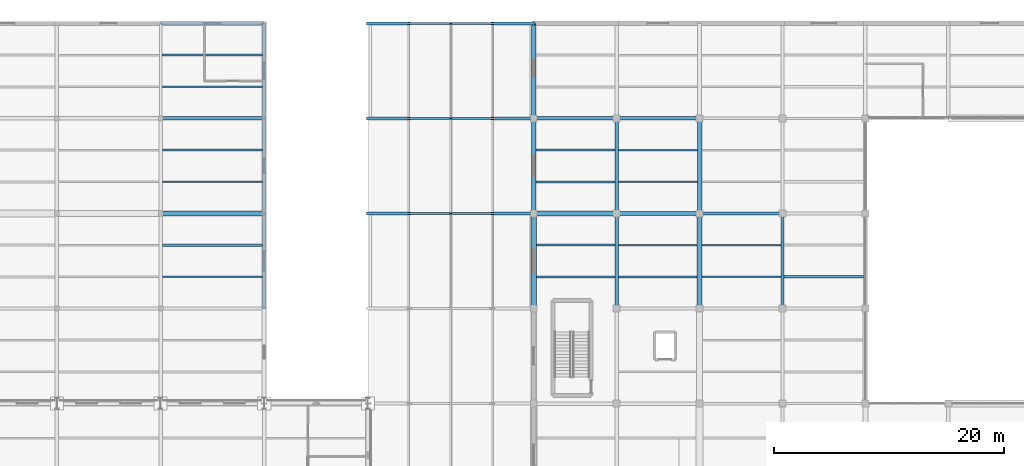
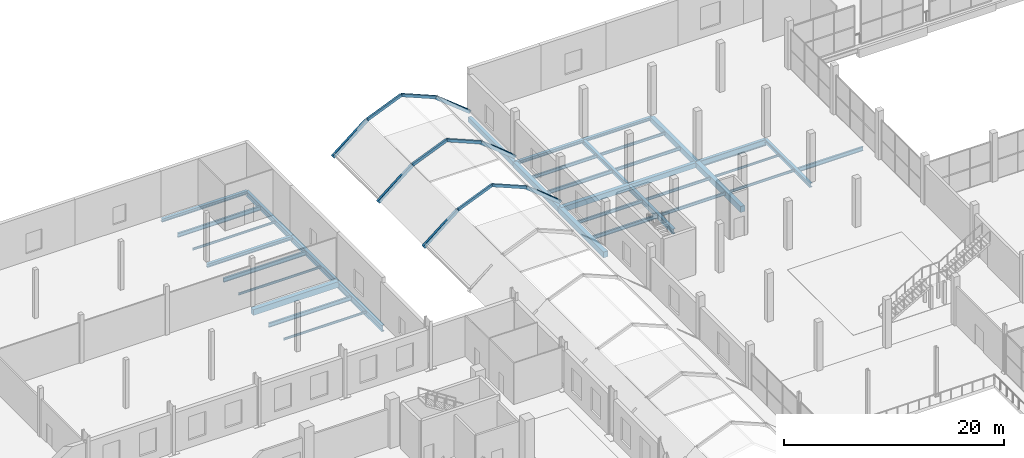
# One storey, part 53 of 141: 36 beams, 12 members.
"""IFC4 building model written with IfcOpenShell, lengths in metres."""

from ifc_helpers import new_model, si_unit, direction, frame, origin, origin_2d, place, context, subcontext, project, spatial, rectangle, hollow_rectangle, i_section, extrude, material, material_profile, profile_set, type_object, element, save


model = new_model("IFC4")

# Units and contexts
model_context = context("Model", 3, precision=1e-05, world=origin(), true_north=direction((0.0, 1.0)))
body_context = subcontext(model_context, "Body", "Model", "MODEL_VIEW")
ifc_project = project(units=[si_unit("LENGTHUNIT", "METRE"), si_unit("AREAUNIT", "SQUARE_METRE"), si_unit("VOLUMEUNIT", "CUBIC_METRE"), si_unit("PLANEANGLEUNIT", "RADIAN"), si_unit("MASSUNIT", "GRAM", prefix="KILO")], contexts=[model_context])

# Site, building, storey
site_placement = place(None, origin())
site = spatial("IfcSite", under=ifc_project, at=site_placement, CompositionType="ELEMENT")
building_placement = place(site_placement, origin())
building = spatial("IfcBuilding", under=site, at=building_placement, Name="Sundgate Opera House", CompositionType="ELEMENT")
storey_placement = place(building_placement, frame((0.0, 0.0, 11.39990234375)))
storey = spatial("IfcBuildingStorey", under=building, at=storey_placement, Name="L02", CompositionType="ELEMENT", Elevation=11.39990234375)

# Beams
ifc_material_1 = material(Name="Steel S355J2", Category="steel")
ifc_material_profile_1 = material_profile(ifc_material_1, i_section(OverallWidth=0.300048828125, OverallDepth=0.330078125, WebThickness=0.009521484375, FlangeThickness=0.0166015625, at=origin_2d()), Name="HEA 340")
ifc_profile_set_1 = profile_set([ifc_material_profile_1], Name="Steel S355J2")
beam_type_1 = type_object("IfcBeamType", Name="BM-GR-HEA340", PredefinedType="BEAM", material=ifc_profile_set_1)
beam_1_placement = place(storey_placement, frame((102.60009765625, 111.75, -0.514892578125), z_axis=(1.0, 0.0, 0.0), x_axis=(0.0, 1.0, 0.0)))
element("IfcBeam", 1, at=beam_1_placement, inside=storey, type_object=beam_type_1, Name="L02 Primary E-W Girder B2104", PredefinedType="BEAM", context=body_context, shape_type="SweptSolid", body=[
    extrude(i_section(OverallWidth=0.300048828125, OverallDepth=0.330078125, WebThickness=0.009521484375, FlangeThickness=0.0166015625, at=origin_2d()), origin(), (0.0, 0.0, 1.0), 7.199951171875),
])
ifc_material_2 = material(Name="Steel S355J2", Category="steel")
ifc_material_profile_2 = material_profile(ifc_material_2, i_section(OverallWidth=0.300048828125, OverallDepth=0.35009765625, WebThickness=0.010009765625, FlangeThickness=0.017578125, at=origin_2d()), Name="HEA 360")
ifc_profile_set_2 = profile_set([ifc_material_profile_2], Name="Steel S355J2")
beam_type_2 = type_object("IfcBeamType", Name="BM-GR-HEA360", PredefinedType="BEAM", material=ifc_profile_set_2)
beam_2_placement = place(storey_placement, frame((95.39990234375, 111.75, -0.52490234375), z_axis=(1.0, 0.0, 0.0), x_axis=(0.0, 1.0, 0.0)))
element("IfcBeam", 2, at=beam_2_placement, inside=storey, type_object=beam_type_2, Name="L02 Primary E-W Girder B2103", PredefinedType="BEAM", context=body_context, shape_type="SweptSolid", body=[
    extrude(i_section(OverallWidth=0.300048828125, OverallDepth=0.35009765625, WebThickness=0.010009765625, FlangeThickness=0.017578125, at=origin_2d()), origin(), (0.0, 0.0, 1.0), 7.2001953125),
])
ifc_material_3 = material(Name="Steel S355J2", Category="steel")
ifc_material_profile_3 = material_profile(ifc_material_3, i_section(OverallWidth=0.300048828125, OverallDepth=0.389892578125, WebThickness=0.010986328125, FlangeThickness=0.01904296875, at=origin_2d()), Name="HEA 400")
ifc_profile_set_3 = profile_set([ifc_material_profile_3], Name="Steel S355J2")
beam_type_3 = type_object("IfcBeamType", Name="BM-GR-HEA400", PredefinedType="BEAM", material=ifc_profile_set_3)
beam_3_placement = place(storey_placement, frame((63.0, 111.75, -0.544921875), z_axis=(1.0, 0.0, 0.0), x_axis=(0.0, 1.0, 0.0)))
element("IfcBeam", 3, at=beam_3_placement, inside=storey, type_object=beam_type_3, Name="L02 Primary E-W Girder B2102", PredefinedType="BEAM", context=body_context, shape_type="SweptSolid", body=[
    extrude(i_section(OverallWidth=0.300048828125, OverallDepth=0.389892578125, WebThickness=0.010986328125, FlangeThickness=0.01904296875, at=origin_2d()), origin(), (0.0, 0.0, 1.0), 9.0),
])
ifc_material_4 = material(Name="Steel S355J2", Category="steel")
ifc_material_profile_4 = material_profile(ifc_material_4, i_section(OverallWidth=0.300048828125, OverallDepth=0.43994140625, WebThickness=0.011474609375, FlangeThickness=0.02099609375, at=origin_2d()), Name="HEA 450")
ifc_profile_set_4 = profile_set([ifc_material_profile_4], Name="Steel S355J2")
beam_type_4 = type_object("IfcBeamType", Name="BM-GR-HEA450", PredefinedType="BEAM", material=ifc_profile_set_4)
beam_4_placement = place(storey_placement, frame((117.0, 95.25, -0.56982421875), z_axis=(0.0, 1.0, 0.0), x_axis=(-1.0, 0.0, 0.0)))
element("IfcBeam", 4, at=beam_4_placement, inside=storey, type_object=beam_type_4, Name="L02 Primary N-S Girder B1889", PredefinedType="BEAM", context=body_context, shape_type="SweptSolid", body=[
    extrude(i_section(OverallWidth=0.300048828125, OverallDepth=0.43994140625, WebThickness=0.011474609375, FlangeThickness=0.02099609375, at=origin_2d()), origin(), (0.0, 0.0, 1.0), 8.25),
])
ifc_material_5 = material(Name="Steel S355J2", Category="steel")
ifc_material_profile_5 = material_profile(ifc_material_5, i_section(OverallWidth=0.300048828125, OverallDepth=0.489990234375, WebThickness=0.011962890625, FlangeThickness=0.02294921875, at=origin_2d()), Name="HEA 500")
ifc_profile_set_5 = profile_set([ifc_material_profile_5], Name="Steel S355J2")
beam_type_5 = type_object("IfcBeamType", Name="BM-GR-HEA500", PredefinedType="BEAM", material=ifc_profile_set_5)
beam_5_placement = place(storey_placement, frame((102.60009765625, 103.5, -0.594970703125), z_axis=(0.0, 1.0, 0.0), x_axis=(-1.0, 0.0, 0.0)))
element("IfcBeam", 5, at=beam_5_placement, inside=storey, type_object=beam_type_5, Name="L02 Primary N-S Girder B1866", PredefinedType="BEAM", context=body_context, shape_type="SweptSolid", body=[
    extrude(i_section(OverallWidth=0.300048828125, OverallDepth=0.489990234375, WebThickness=0.011962890625, FlangeThickness=0.02294921875, at=origin_2d()), origin(), (0.0, 0.0, 1.0), 8.25),
])
ifc_material_6 = material(Name="Steel S355J2", Category="steel")
ifc_material_profile_6 = material_profile(ifc_material_6, i_section(OverallWidth=0.300048828125, OverallDepth=0.590087890625, WebThickness=0.012939453125, FlangeThickness=0.02490234375, at=origin_2d()), Name="HEA 600")
ifc_profile_set_6 = profile_set([ifc_material_profile_6], Name="Steel S355J2")
beam_type_6 = type_object("IfcBeamType", Name="BM-GR-HEA600", PredefinedType="BEAM", material=ifc_profile_set_6)
beam_6_placement = place(storey_placement, frame((102.60009765625, 95.25, -0.64501953125), z_axis=(0.0, 1.0, 0.0), x_axis=(-1.0, 0.0, 0.0)))
element("IfcBeam", 6, at=beam_6_placement, inside=storey, type_object=beam_type_6, Name="L02 Primary N-S Girder B1865", PredefinedType="BEAM", context=body_context, shape_type="SweptSolid", body=[
    extrude(i_section(OverallWidth=0.300048828125, OverallDepth=0.590087890625, WebThickness=0.012939453125, FlangeThickness=0.02490234375, at=origin_2d()), origin(), (0.0, 0.0, 1.0), 8.25),
])
ifc_material_7 = material(Name="Steel S355J2", Category="steel")
ifc_material_profile_7 = material_profile(ifc_material_7, i_section(OverallWidth=0.300048828125, OverallDepth=0.360107421875, WebThickness=0.012451171875, FlangeThickness=0.0224609375, at=origin_2d()), Name="HEB 360")
ifc_profile_set_7 = profile_set([ifc_material_profile_7], Name="Steel S355J2")
beam_type_7 = type_object("IfcBeamType", Name="BM-GR-HEB360", PredefinedType="BEAM", material=ifc_profile_set_7)
beam_7_placement = place(storey_placement, frame((63.0, 120.0, -0.52978515625), z_axis=(1.0, 0.0, 0.0), x_axis=(0.0, 1.0, 0.0)))
element("IfcBeam", 7, at=beam_7_placement, inside=storey, type_object=beam_type_7, Name="L02 Primary E-W Girder B2120", PredefinedType="BEAM", context=body_context, shape_type="SweptSolid", body=[
    extrude(i_section(OverallWidth=0.300048828125, OverallDepth=0.360107421875, WebThickness=0.012451171875, FlangeThickness=0.0224609375, at=origin_2d()), origin(), (0.0, 0.0, 1.0), 9.0),
])
ifc_material_8 = material(Name="Steel S355J2", Category="steel")
ifc_material_profile_8 = material_profile(ifc_material_8, i_section(OverallWidth=0.300048828125, OverallDepth=0.60009765625, WebThickness=0.015380859375, FlangeThickness=0.030029296875, at=origin_2d()), Name="HEB 600")
ifc_profile_set_8 = profile_set([ifc_material_profile_8], Name="Steel S355J2")
beam_type_8 = type_object("IfcBeamType", Name="BM-GR-HEB600", PredefinedType="BEAM", material=ifc_profile_set_8)
beam_8_placement = place(storey_placement, frame((72.0, 111.75, -0.64990234375), z_axis=(0.0, 1.0, 0.0), x_axis=(-1.0, 0.0, 0.0)))
element("IfcBeam", 8, at=beam_8_placement, inside=storey, type_object=beam_type_8, Name="L02 Primary N-S Girder B1843", PredefinedType="BEAM", context=body_context, shape_type="SweptSolid", body=[
    extrude(i_section(OverallWidth=0.300048828125, OverallDepth=0.60009765625, WebThickness=0.015380859375, FlangeThickness=0.030029296875, at=origin_2d()), origin(), (0.0, 0.0, 1.0), 8.25),
])
ifc_material_9 = material(Name="Steel S355J2", Category="steel")
ifc_material_profile_9 = material_profile(ifc_material_9, i_section(OverallWidth=0.300048828125, OverallDepth=0.64990234375, WebThickness=0.01611328125, FlangeThickness=0.031005859375, at=origin_2d()), Name="HEB 650")
ifc_profile_set_9 = profile_set([ifc_material_profile_9], Name="Steel S355J2")
beam_type_9 = type_object("IfcBeamType", Name="BM-GR-HEB650", PredefinedType="BEAM", material=ifc_profile_set_9)
beam_9_placement = place(storey_placement, frame((72.0, 103.5, -0.6748046875), z_axis=(0.0, 1.0, 0.0), x_axis=(-1.0, 0.0, 0.0)))
element("IfcBeam", 9, at=beam_9_placement, inside=storey, type_object=beam_type_9, Name="L02 Primary N-S Girder B1842", PredefinedType="BEAM", context=body_context, shape_type="SweptSolid", body=[
    extrude(i_section(OverallWidth=0.300048828125, OverallDepth=0.64990234375, WebThickness=0.01611328125, FlangeThickness=0.031005859375, at=origin_2d()), origin(), (0.0, 0.0, 1.0), 8.25),
])
ifc_material_10 = material(Name="Steel S355J2", Category="steel")
ifc_material_profile_10 = material_profile(ifc_material_10, i_section(OverallWidth=0.300048828125, OverallDepth=0.699951171875, WebThickness=0.01708984375, FlangeThickness=0.031982421875, at=origin_2d()), Name="HEB 700")
ifc_profile_set_10 = profile_set([ifc_material_profile_10], Name="Steel S355J2")
beam_type_10 = type_object("IfcBeamType", Name="BM-GR-HEB700", PredefinedType="BEAM", material=ifc_profile_set_10)
beam_10_placement = place(storey_placement, frame((72.0, 95.25, -0.699951171875), z_axis=(0.0, 1.0, 0.0), x_axis=(-1.0, 0.0, 0.0)))
element("IfcBeam", 10, at=beam_10_placement, inside=storey, type_object=beam_type_10, Name="L02 Primary N-S Girder B1841", PredefinedType="BEAM", context=body_context, shape_type="SweptSolid", body=[
    extrude(i_section(OverallWidth=0.300048828125, OverallDepth=0.699951171875, WebThickness=0.01708984375, FlangeThickness=0.031982421875, at=origin_2d()), origin(), (0.0, 0.0, 1.0), 8.25),
])
beam_11_placement = place(storey_placement, frame((109.800048828125, 103.5, -0.699951171875), z_axis=(1.0, 0.0, 0.0), x_axis=(0.0, 1.0, 0.0)))
element("IfcBeam", 11, at=beam_11_placement, inside=storey, type_object=beam_type_10, Name="L02 Primary E-W Girder B2091", PredefinedType="BEAM", context=body_context, shape_type="SweptSolid", body=[
    extrude(i_section(OverallWidth=0.300048828125, OverallDepth=0.699951171875, WebThickness=0.01708984375, FlangeThickness=0.031982421875, at=origin_2d()), origin(), (0.0, 0.0, 1.0), 7.199951171875),
])
ifc_material_11 = material(Name="Steel S355J2", Category="steel")
ifc_material_profile_11 = material_profile(ifc_material_11, i_section(OverallWidth=0.1201171875, OverallDepth=0.239990234375, WebThickness=0.006103515625, FlangeThickness=0.009765625, at=origin_2d()), Name="IPE 240")
ifc_profile_set_11 = profile_set([ifc_material_profile_11], Name="Steel S355J2")
beam_type_11 = type_object("IfcBeamType", Name="BM-JS-IPE240", PredefinedType="JOIST", material=ifc_profile_set_11)
beam_12_placement = place(storey_placement, frame((63.14990234375, 98.0, -0.469970703125), z_axis=(1.0, 0.0, 0.0), x_axis=(0.0, 1.0, 0.0)))
element("IfcBeam", 12, at=beam_12_placement, inside=storey, type_object=beam_type_11, Name="L02 Secondary Floor Joist B2373", PredefinedType="JOIST", context=body_context, shape_type="SweptSolid", body=[
    extrude(i_section(OverallWidth=0.1201171875, OverallDepth=0.239990234375, WebThickness=0.006103515625, FlangeThickness=0.009765625, at=origin_2d()), origin(), (0.0, 0.0, 1.0), 8.7001953125),
])
beam_13_placement = place(storey_placement, frame((110.02490234375, 100.75, -0.469970703125), z_axis=(1.0, 0.0, 0.0), x_axis=(0.0, 1.0, 0.0)))
element("IfcBeam", 13, at=beam_13_placement, inside=storey, type_object=beam_type_11, Name="L02 Secondary Floor Joist B2380", PredefinedType="JOIST", context=body_context, shape_type="SweptSolid", body=[
    extrude(i_section(OverallWidth=0.1201171875, OverallDepth=0.239990234375, WebThickness=0.006103515625, FlangeThickness=0.009765625, at=origin_2d()), origin(), (0.0, 0.0, 1.0), 6.8251953125),
])
beam_14_placement = place(storey_placement, frame((63.14990234375, 106.25, -0.469970703125), z_axis=(1.0, 0.0, 0.0), x_axis=(0.0, 1.0, 0.0)))
element("IfcBeam", 14, at=beam_14_placement, inside=storey, type_object=beam_type_11, Name="L02 Secondary Floor Joist B2401", PredefinedType="JOIST", context=body_context, shape_type="SweptSolid", body=[
    extrude(i_section(OverallWidth=0.1201171875, OverallDepth=0.239990234375, WebThickness=0.006103515625, FlangeThickness=0.009765625, at=origin_2d()), origin(), (0.0, 0.0, 1.0), 8.7001953125),
])
beam_15_placement = place(storey_placement, frame((63.110107421875, 114.5, -0.469970703125), z_axis=(1.0, 0.0, 0.0), x_axis=(0.0, 1.0, 0.0)))
element("IfcBeam", 15, at=beam_15_placement, inside=storey, type_object=beam_type_11, Name="L02 Secondary Floor Joist B2429", PredefinedType="JOIST", context=body_context, shape_type="SweptSolid", body=[
    extrude(i_section(OverallWidth=0.1201171875, OverallDepth=0.239990234375, WebThickness=0.006103515625, FlangeThickness=0.009765625, at=origin_2d()), origin(), (0.0, 0.0, 1.0), 8.739990234375),
])
ifc_material_12 = material(Name="Steel S355J2", Category="steel")
ifc_material_profile_12 = material_profile(ifc_material_12, i_section(OverallWidth=0.135009765625, OverallDepth=0.27001953125, WebThickness=0.006591796875, FlangeThickness=0.01025390625, at=origin_2d()), Name="IPE 270")
ifc_profile_set_12 = profile_set([ifc_material_profile_12], Name="Steel S355J2")
beam_type_12 = type_object("IfcBeamType", Name="BM-JS-IPE270", PredefinedType="JOIST", material=ifc_profile_set_12)
beam_16_placement = place(storey_placement, frame((110.02490234375, 98.0, -0.48486328125), z_axis=(1.0, 0.0, 0.0), x_axis=(0.0, 1.0, 0.0)))
element("IfcBeam", 16, at=beam_16_placement, inside=storey, type_object=beam_type_12, Name="L02 Secondary Floor Joist B2379", PredefinedType="JOIST", context=body_context, shape_type="SweptSolid", body=[
    extrude(i_section(OverallWidth=0.135009765625, OverallDepth=0.27001953125, WebThickness=0.006591796875, FlangeThickness=0.01025390625, at=origin_2d()), origin(), (0.0, 0.0, 1.0), 6.8251953125),
])
ifc_material_13 = material(Name="Steel S355J2", Category="steel")
ifc_material_profile_13 = material_profile(ifc_material_13, i_section(OverallWidth=0.14990234375, OverallDepth=0.300048828125, WebThickness=0.007080078125, FlangeThickness=0.0107421875, at=origin_2d()), Name="IPE 300")
ifc_profile_set_13 = profile_set([ifc_material_profile_13], Name="Steel S355J2")
beam_type_13 = type_object("IfcBeamType", Name="BM-JS-IPE300", PredefinedType="JOIST", material=ifc_profile_set_13)
beam_17_placement = place(storey_placement, frame((102.75, 100.75, -0.5), z_axis=(1.0, 0.0, 0.0), x_axis=(0.0, 1.0, 0.0)))
element("IfcBeam", 17, at=beam_17_placement, inside=storey, type_object=beam_type_13, Name="L02 Secondary Floor Joist B2378", PredefinedType="JOIST", context=body_context, shape_type="SweptSolid", body=[
    extrude(i_section(OverallWidth=0.14990234375, OverallDepth=0.300048828125, WebThickness=0.007080078125, FlangeThickness=0.0107421875, at=origin_2d()), origin(), (0.0, 0.0, 1.0), 6.824951171875),
])
beam_18_placement = place(storey_placement, frame((102.75, 109.0, -0.5), z_axis=(1.0, 0.0, 0.0), x_axis=(0.0, 1.0, 0.0)))
element("IfcBeam", 18, at=beam_18_placement, inside=storey, type_object=beam_type_13, Name="L02 Secondary Floor Joist B2406", PredefinedType="JOIST", context=body_context, shape_type="SweptSolid", body=[
    extrude(i_section(OverallWidth=0.14990234375, OverallDepth=0.300048828125, WebThickness=0.007080078125, FlangeThickness=0.0107421875, at=origin_2d()), origin(), (0.0, 0.0, 1.0), 6.85009765625),
])
ifc_material_14 = material(Name="Steel S355J2", Category="steel")
ifc_material_profile_14 = material_profile(ifc_material_14, i_section(OverallWidth=0.159912109375, OverallDepth=0.330078125, WebThickness=0.007568359375, FlangeThickness=0.011474609375, at=origin_2d()), Name="IPE 330")
ifc_profile_set_14 = profile_set([ifc_material_profile_14], Name="Steel S355J2")
beam_type_14 = type_object("IfcBeamType", Name="BM-JS-IPE330", PredefinedType="JOIST", material=ifc_profile_set_14)
beam_19_placement = place(storey_placement, frame((102.75, 98.0, -0.514892578125), z_axis=(1.0, 0.0, 0.0), x_axis=(0.0, 1.0, 0.0)))
element("IfcBeam", 19, at=beam_19_placement, inside=storey, type_object=beam_type_14, Name="L02 Secondary Floor Joist B2377", PredefinedType="JOIST", context=body_context, shape_type="SweptSolid", body=[
    extrude(i_section(OverallWidth=0.159912109375, OverallDepth=0.330078125, WebThickness=0.007568359375, FlangeThickness=0.011474609375, at=origin_2d()), origin(), (0.0, 0.0, 1.0), 6.824951171875),
])
beam_20_placement = place(storey_placement, frame((102.75, 106.25, -0.514892578125), z_axis=(1.0, 0.0, 0.0), x_axis=(0.0, 1.0, 0.0)))
element("IfcBeam", 20, at=beam_20_placement, inside=storey, type_object=beam_type_14, Name="L02 Secondary Floor Joist B2405", PredefinedType="JOIST", context=body_context, shape_type="SweptSolid", body=[
    extrude(i_section(OverallWidth=0.159912109375, OverallDepth=0.330078125, WebThickness=0.007568359375, FlangeThickness=0.011474609375, at=origin_2d()), origin(), (0.0, 0.0, 1.0), 6.85009765625),
])
ifc_material_15 = material(Name="Steel S355J2", Category="steel")
ifc_material_profile_15 = material_profile(ifc_material_15, i_section(OverallWidth=0.169921875, OverallDepth=0.360107421875, WebThickness=0.008056640625, FlangeThickness=0.0126953125, at=origin_2d()), Name="IPE 360")
ifc_profile_set_15 = profile_set([ifc_material_profile_15], Name="Steel S355J2")
beam_type_15 = type_object("IfcBeamType", Name="BM-JS-IPE360", PredefinedType="JOIST", material=ifc_profile_set_15)
beam_21_placement = place(storey_placement, frame((95.625, 100.75, -0.52978515625), z_axis=(1.0, 0.0, 0.0), x_axis=(0.0, 1.0, 0.0)))
element("IfcBeam", 21, at=beam_21_placement, inside=storey, type_object=beam_type_15, Name="L02 Secondary Floor Joist B2376", PredefinedType="JOIST", context=body_context, shape_type="SweptSolid", body=[
    extrude(i_section(OverallWidth=0.169921875, OverallDepth=0.360107421875, WebThickness=0.008056640625, FlangeThickness=0.0126953125, at=origin_2d()), origin(), (0.0, 0.0, 1.0), 6.824951171875),
])
beam_22_placement = place(storey_placement, frame((95.60009765625, 109.0, -0.52978515625), z_axis=(1.0, 0.0, 0.0), x_axis=(0.0, 1.0, 0.0)))
element("IfcBeam", 22, at=beam_22_placement, inside=storey, type_object=beam_type_15, Name="L02 Secondary Floor Joist B2404", PredefinedType="JOIST", context=body_context, shape_type="SweptSolid", body=[
    extrude(i_section(OverallWidth=0.169921875, OverallDepth=0.360107421875, WebThickness=0.008056640625, FlangeThickness=0.0126953125, at=origin_2d()), origin(), (0.0, 0.0, 1.0), 6.849853515625),
])
ifc_material_16 = material(Name="Steel S355J2", Category="steel")
ifc_material_profile_16 = material_profile(ifc_material_16, i_section(OverallWidth=0.179931640625, OverallDepth=0.39990234375, WebThickness=0.008544921875, FlangeThickness=0.013427734375, at=origin_2d()), Name="IPE 400")
ifc_profile_set_16 = profile_set([ifc_material_profile_16], Name="Steel S355J2")
beam_type_16 = type_object("IfcBeamType", Name="BM-JS-IPE400", PredefinedType="JOIST", material=ifc_profile_set_16)
beam_23_placement = place(storey_placement, frame((95.625, 98.0, -0.5498046875), z_axis=(1.0, 0.0, 0.0), x_axis=(0.0, 1.0, 0.0)))
element("IfcBeam", 23, at=beam_23_placement, inside=storey, type_object=beam_type_16, Name="L02 Secondary Floor Joist B2375", PredefinedType="JOIST", context=body_context, shape_type="SweptSolid", body=[
    extrude(i_section(OverallWidth=0.179931640625, OverallDepth=0.39990234375, WebThickness=0.008544921875, FlangeThickness=0.013427734375, at=origin_2d()), origin(), (0.0, 0.0, 1.0), 6.824951171875),
])
beam_24_placement = place(storey_placement, frame((95.60009765625, 106.25, -0.5498046875), z_axis=(1.0, 0.0, 0.0), x_axis=(0.0, 1.0, 0.0)))
element("IfcBeam", 24, at=beam_24_placement, inside=storey, type_object=beam_type_16, Name="L02 Secondary Floor Joist B2403", PredefinedType="JOIST", context=body_context, shape_type="SweptSolid", body=[
    extrude(i_section(OverallWidth=0.179931640625, OverallDepth=0.39990234375, WebThickness=0.008544921875, FlangeThickness=0.013427734375, at=origin_2d()), origin(), (0.0, 0.0, 1.0), 6.849853515625),
])
ifc_material_17 = material(Name="Steel S355J2", Category="steel")
ifc_material_profile_17 = material_profile(ifc_material_17, i_section(OverallWidth=0.18994140625, OverallDepth=0.449951171875, WebThickness=0.009521484375, FlangeThickness=0.0146484375, at=origin_2d()), Name="IPE 450")
ifc_profile_set_17 = profile_set([ifc_material_profile_17], Name="Steel S355J2")
beam_type_17 = type_object("IfcBeamType", Name="BM-JS-IPE450", PredefinedType="JOIST", material=ifc_profile_set_17)
beam_25_placement = place(storey_placement, frame((63.14990234375, 100.75, -0.574951171875), z_axis=(1.0, 0.0, 0.0), x_axis=(0.0, 1.0, 0.0)))
element("IfcBeam", 25, at=beam_25_placement, inside=storey, type_object=beam_type_17, Name="L02 Secondary Floor Joist B2374", PredefinedType="JOIST", context=body_context, shape_type="SweptSolid", body=[
    extrude(i_section(OverallWidth=0.18994140625, OverallDepth=0.449951171875, WebThickness=0.009521484375, FlangeThickness=0.0146484375, at=origin_2d()), origin(), (0.0, 0.0, 1.0), 8.7001953125),
])
beam_26_placement = place(storey_placement, frame((117.14990234375, 98.0, -0.574951171875), z_axis=(1.0, 0.0, 0.0), x_axis=(0.0, 1.0, 0.0)))
element("IfcBeam", 26, at=beam_26_placement, inside=storey, type_object=beam_type_17, Name="L02 Secondary Floor Joist B2381", PredefinedType="JOIST", context=body_context, shape_type="SweptSolid", body=[
    extrude(i_section(OverallWidth=0.18994140625, OverallDepth=0.449951171875, WebThickness=0.009521484375, FlangeThickness=0.0146484375, at=origin_2d()), origin(), (0.0, 0.0, 1.0), 6.875),
])
beam_27_placement = place(storey_placement, frame((63.14990234375, 109.0, -0.574951171875), z_axis=(1.0, 0.0, 0.0), x_axis=(0.0, 1.0, 0.0)))
element("IfcBeam", 27, at=beam_27_placement, inside=storey, type_object=beam_type_17, Name="L02 Secondary Floor Joist B2402", PredefinedType="JOIST", context=body_context, shape_type="SweptSolid", body=[
    extrude(i_section(OverallWidth=0.18994140625, OverallDepth=0.449951171875, WebThickness=0.009521484375, FlangeThickness=0.0146484375, at=origin_2d()), origin(), (0.0, 0.0, 1.0), 8.7001953125),
])
beam_28_placement = place(storey_placement, frame((63.110107421875, 117.25, -0.574951171875), z_axis=(1.0, 0.0, 0.0), x_axis=(0.0, 1.0, 0.0)))
element("IfcBeam", 28, at=beam_28_placement, inside=storey, type_object=beam_type_17, Name="L02 Secondary Floor Joist B2430", PredefinedType="JOIST", context=body_context, shape_type="SweptSolid", body=[
    extrude(i_section(OverallWidth=0.18994140625, OverallDepth=0.449951171875, WebThickness=0.009521484375, FlangeThickness=0.0146484375, at=origin_2d()), origin(), (0.0, 0.0, 1.0), 8.739990234375),
])
ifc_material_18 = material(Name="Concrete C35/45", Category="concrete")
ifc_material_profile_18 = material_profile(ifc_material_18, rectangle(XDim=0.35009765625, YDim=0.550048828125, at=origin_2d()), Name="RC 350x550")
ifc_profile_set_18 = profile_set([ifc_material_profile_18], Name="Concrete C35/45")
beam_type_18 = type_object("IfcBeamType", Name="BM-RC-350x550", PredefinedType="BEAM", material=ifc_profile_set_18)
beam_29_placement = place(storey_placement, frame((95.39990234375, 111.75, -0.625), z_axis=(0.0, 1.0, 0.0), x_axis=(-1.0, 0.0, 0.0)))
element("IfcBeam", 29, at=beam_29_placement, inside=storey, type_object=beam_type_18, Name="L02 Primary N-S Girder B1856", PredefinedType="BEAM", context=body_context, shape_type="SweptSolid", body=[
    extrude(rectangle(XDim=0.35009765625, YDim=0.550048828125, at=origin_2d()), origin(), (0.0, 0.0, 1.0), 8.25),
])
beam_30_placement = place(storey_placement, frame((102.60009765625, 103.5, -0.625), z_axis=(1.0, 0.0, 0.0), x_axis=(0.0, 1.0, 0.0)))
element("IfcBeam", 30, at=beam_30_placement, inside=storey, type_object=beam_type_18, Name="L02 Primary E-W Girder B2090", PredefinedType="BEAM", context=body_context, shape_type="SweptSolid", body=[
    extrude(rectangle(XDim=0.35009765625, YDim=0.550048828125, at=origin_2d()), origin(), (0.0, 0.0, 1.0), 7.199951171875),
])
ifc_material_19 = material(Name="Concrete C35/45", Category="concrete")
ifc_material_profile_19 = material_profile(ifc_material_19, rectangle(XDim=0.39990234375, YDim=0.60009765625, at=origin_2d()), Name="RC 400x600")
ifc_profile_set_19 = profile_set([ifc_material_profile_19], Name="Concrete C35/45")
beam_type_19 = type_object("IfcBeamType", Name="BM-RC-400x600", PredefinedType="BEAM", material=ifc_profile_set_19)
for number, where, z_axis, x_axis, name in (
    (31, (95.39990234375, 103.5, -0.64990234375), (0.0, 1.0, 0.0), (-1.0, 0.0, 0.0), "L02 Primary N-S Girder B1855"),
    (32, (109.800048828125, 103.5, -0.64990234375), (0.0, 1.0, 0.0), (-1.0, 0.0, 0.0), "L02 Primary N-S Girder B1877"),
):
    element("IfcBeam", number, at=place(storey_placement, frame(where, z_axis=z_axis, x_axis=x_axis)), inside=storey, type_object=beam_type_19, Name=name, PredefinedType="BEAM", context=body_context, shape_type="SweptSolid", body=[
        extrude(rectangle(XDim=0.39990234375, YDim=0.60009765625, at=origin_2d()), origin(), (0.0, 0.0, 1.0), 8.25),
    ])
beam_31_placement = place(storey_placement, frame((95.39990234375, 103.5, -0.64990234375), z_axis=(1.0, 0.0, 0.0), x_axis=(0.0, 1.0, 0.0)))
element("IfcBeam", 33, at=beam_31_placement, inside=storey, type_object=beam_type_19, Name="L02 Primary E-W Girder B2089", PredefinedType="BEAM", context=body_context, shape_type="SweptSolid", body=[
    extrude(rectangle(XDim=0.39990234375, YDim=0.60009765625, at=origin_2d()), origin(), (0.0, 0.0, 1.0), 7.2001953125),
])
ifc_material_20 = material(Name="Concrete C35/45", Category="concrete")
ifc_material_profile_20 = material_profile(ifc_material_20, rectangle(XDim=0.449951171875, YDim=0.64990234375, at=origin_2d()), Name="RC 450x650")
ifc_profile_set_20 = profile_set([ifc_material_profile_20], Name="Concrete C35/45")
beam_type_20 = type_object("IfcBeamType", Name="BM-RC-450x650", PredefinedType="BEAM", material=ifc_profile_set_20)
for number, where, z_axis, x_axis, name in (
    (34, (95.39990234375, 95.25, -0.6748046875), (0.0, 1.0, 0.0), (-1.0, 0.0, 0.0), "L02 Primary N-S Girder B1854"),
    (35, (109.800048828125, 95.25, -0.6748046875), (0.0, 1.0, 0.0), (-1.0, 0.0, 0.0), "L02 Primary N-S Girder B1876"),
):
    element("IfcBeam", number, at=place(storey_placement, frame(where, z_axis=z_axis, x_axis=x_axis)), inside=storey, type_object=beam_type_20, Name=name, PredefinedType="BEAM", context=body_context, shape_type="SweptSolid", body=[
        extrude(rectangle(XDim=0.449951171875, YDim=0.64990234375, at=origin_2d()), origin(), (0.0, 0.0, 1.0), 8.25),
    ])
beam_32_placement = place(storey_placement, frame((63.0, 103.5, -0.6748046875), z_axis=(1.0, 0.0, 0.0), x_axis=(0.0, 1.0, 0.0)))
element("IfcBeam", 36, at=beam_32_placement, inside=storey, type_object=beam_type_20, Name="L02 Primary E-W Girder B2088", PredefinedType="BEAM", context=body_context, shape_type="SweptSolid", body=[
    extrude(rectangle(XDim=0.449951171875, YDim=0.64990234375, at=origin_2d()), origin(), (0.0, 0.0, 1.0), 9.0),
])

# Members
ifc_material_21 = material(Name="Steel S355J2", Category="steel")
ifc_material_profile_21 = material_profile(ifc_material_21, hollow_rectangle(XDim=0.199951171875, YDim=0.300048828125, WallThickness=0.012451171875, at=origin_2d()), Name="RHS 300x200x12.5")
ifc_profile_set_21 = profile_set([ifc_material_profile_21], Name="Steel S355J2")
member_type_1 = type_object("IfcMemberType", Name="MB-ARCH-RHS300", PredefinedType="USERDEFINED", material=ifc_profile_set_21)
member_1_placement = place(storey_placement, frame((84.60009765625, 103.5, 3.050048828125), z_axis=(0.923071366561, 0.0, 0.384628719983), x_axis=(0.0, 1.0, 0.0)))
element("IfcMember", 37, at=member_1_placement, inside=storey, type_object=member_type_1, Name="Passage Parabolic Arch Rib M0364", ObjectType="ARCH RIB", PredefinedType="USERDEFINED", context=body_context, shape_type="SweptSolid", body=[
    extrude(hollow_rectangle(XDim=0.199951171875, YDim=0.300048828125, WallThickness=0.012451171875, at=origin_2d()), origin(), (0.0, 0.0, 1.0), 3.89990234375),
])
member_2_placement = place(storey_placement, frame((88.199951171875, 103.5, 4.550048828125), z_axis=(0.9230806271, 0.0, -0.384606494839), x_axis=(0.0, 1.0, 0.0)))
element("IfcMember", 38, at=member_2_placement, inside=storey, type_object=member_type_1, Name="Passage Parabolic Arch Rib M0365", ObjectType="ARCH RIB", PredefinedType="USERDEFINED", context=body_context, shape_type="SweptSolid", body=[
    extrude(hollow_rectangle(XDim=0.199951171875, YDim=0.300048828125, WallThickness=0.012451171875, at=origin_2d()), origin(), (0.0, 0.0, 1.0), 3.900146484375),
])
member_3_placement = place(storey_placement, frame((84.60009765625, 111.75, 3.050048828125), z_axis=(0.923071366561, 0.0, 0.384628719983), x_axis=(0.0, 1.0, 0.0)))
element("IfcMember", 39, at=member_3_placement, inside=storey, type_object=member_type_1, Name="Passage Parabolic Arch Rib M0371", ObjectType="ARCH RIB", PredefinedType="USERDEFINED", context=body_context, shape_type="SweptSolid", body=[
    extrude(hollow_rectangle(XDim=0.199951171875, YDim=0.300048828125, WallThickness=0.012451171875, at=origin_2d()), origin(), (0.0, 0.0, 1.0), 3.89990234375),
])
member_4_placement = place(storey_placement, frame((88.199951171875, 111.75, 4.550048828125), z_axis=(0.9230806271, 0.0, -0.384606494839), x_axis=(0.0, 1.0, 0.0)))
element("IfcMember", 40, at=member_4_placement, inside=storey, type_object=member_type_1, Name="Passage Parabolic Arch Rib M0372", ObjectType="ARCH RIB", PredefinedType="USERDEFINED", context=body_context, shape_type="SweptSolid", body=[
    extrude(hollow_rectangle(XDim=0.199951171875, YDim=0.300048828125, WallThickness=0.012451171875, at=origin_2d()), origin(), (0.0, 0.0, 1.0), 3.900146484375),
])
member_5_placement = place(storey_placement, frame((84.60009765625, 120.0, 3.050048828125), z_axis=(0.923071366561, 0.0, 0.384628719983), x_axis=(0.0, 1.0, 0.0)))
element("IfcMember", 41, at=member_5_placement, inside=storey, type_object=member_type_1, Name="Passage Parabolic Arch Rib M0378", ObjectType="ARCH RIB", PredefinedType="USERDEFINED", context=body_context, shape_type="SweptSolid", body=[
    extrude(hollow_rectangle(XDim=0.199951171875, YDim=0.300048828125, WallThickness=0.012451171875, at=origin_2d()), origin(), (0.0, 0.0, 1.0), 3.89990234375),
])
member_6_placement = place(storey_placement, frame((88.199951171875, 120.0, 4.550048828125), z_axis=(0.9230806271, 0.0, -0.384606494839), x_axis=(0.0, 1.0, 0.0)))
element("IfcMember", 42, at=member_6_placement, inside=storey, type_object=member_type_1, Name="Passage Parabolic Arch Rib M0379", ObjectType="ARCH RIB", PredefinedType="USERDEFINED", context=body_context, shape_type="SweptSolid", body=[
    extrude(hollow_rectangle(XDim=0.199951171875, YDim=0.300048828125, WallThickness=0.012451171875, at=origin_2d()), origin(), (0.0, 0.0, 1.0), 3.900146484375),
])
ifc_material_22 = material(Name="Steel S355ML", Category="steel")
ifc_material_profile_22 = material_profile(ifc_material_22, hollow_rectangle(XDim=0.25, YDim=0.35009765625, WallThickness=0.012451171875, at=origin_2d()), Name="RHS 350x250x12.5")
ifc_profile_set_22 = profile_set([ifc_material_profile_22], Name="Steel S355ML")
member_type_2 = type_object("IfcMemberType", Name="MB-ARCH-RHS350", PredefinedType="USERDEFINED", material=ifc_profile_set_22)
member_7_placement = place(storey_placement, frame((81.0, 103.5, 0.18505859375), z_axis=(0.782465902377, 0.0, 0.622693433093), x_axis=(0.0, 1.0, 0.0)))
element("IfcMember", 43, at=member_7_placement, inside=storey, type_object=member_type_2, Name="Passage Parabolic Arch Rib M0363", ObjectType="ARCH RIB", PredefinedType="USERDEFINED", context=body_context, shape_type="SweptSolid", body=[
    extrude(hollow_rectangle(XDim=0.25, YDim=0.35009765625, WallThickness=0.012451171875, at=origin_2d()), origin(), (0.0, 0.0, 1.0), 4.60107421875),
])
member_8_placement = place(storey_placement, frame((91.800048828125, 103.5, 3.050048828125), z_axis=(0.782445326099, 0.0, -0.622719288015), x_axis=(0.0, 1.0, 0.0)))
element("IfcMember", 44, at=member_8_placement, inside=storey, type_object=member_type_2, Name="Passage Parabolic Arch Rib M0366", ObjectType="ARCH RIB", PredefinedType="USERDEFINED", context=body_context, shape_type="SweptSolid", body=[
    extrude(hollow_rectangle(XDim=0.25, YDim=0.35009765625, WallThickness=0.012451171875, at=origin_2d()), origin(), (0.0, 0.0, 1.0), 4.600830078125),
])
member_9_placement = place(storey_placement, frame((81.0, 111.75, 0.18505859375), z_axis=(0.782465902377, 0.0, 0.622693433093), x_axis=(0.0, 1.0, 0.0)))
element("IfcMember", 45, at=member_9_placement, inside=storey, type_object=member_type_2, Name="Passage Parabolic Arch Rib M0370", ObjectType="ARCH RIB", PredefinedType="USERDEFINED", context=body_context, shape_type="SweptSolid", body=[
    extrude(hollow_rectangle(XDim=0.25, YDim=0.35009765625, WallThickness=0.012451171875, at=origin_2d()), origin(), (0.0, 0.0, 1.0), 4.60107421875),
])
member_10_placement = place(storey_placement, frame((91.800048828125, 111.75, 3.050048828125), z_axis=(0.782445326099, 0.0, -0.622719288015), x_axis=(0.0, 1.0, 0.0)))
element("IfcMember", 46, at=member_10_placement, inside=storey, type_object=member_type_2, Name="Passage Parabolic Arch Rib M0373", ObjectType="ARCH RIB", PredefinedType="USERDEFINED", context=body_context, shape_type="SweptSolid", body=[
    extrude(hollow_rectangle(XDim=0.25, YDim=0.35009765625, WallThickness=0.012451171875, at=origin_2d()), origin(), (0.0, 0.0, 1.0), 4.600830078125),
])
member_11_placement = place(storey_placement, frame((81.0, 120.0, 0.18505859375), z_axis=(0.782465902377, 0.0, 0.622693433093), x_axis=(0.0, 1.0, 0.0)))
element("IfcMember", 47, at=member_11_placement, inside=storey, type_object=member_type_2, Name="Passage Parabolic Arch Rib M0377", ObjectType="ARCH RIB", PredefinedType="USERDEFINED", context=body_context, shape_type="SweptSolid", body=[
    extrude(hollow_rectangle(XDim=0.25, YDim=0.35009765625, WallThickness=0.012451171875, at=origin_2d()), origin(), (0.0, 0.0, 1.0), 4.60107421875),
])
member_12_placement = place(storey_placement, frame((91.800048828125, 120.0, 3.050048828125), z_axis=(0.782445326099, 0.0, -0.622719288015), x_axis=(0.0, 1.0, 0.0)))
element("IfcMember", 48, at=member_12_placement, inside=storey, type_object=member_type_2, Name="Passage Parabolic Arch Rib M0380", ObjectType="ARCH RIB", PredefinedType="USERDEFINED", context=body_context, shape_type="SweptSolid", body=[
    extrude(hollow_rectangle(XDim=0.25, YDim=0.35009765625, WallThickness=0.012451171875, at=origin_2d()), origin(), (0.0, 0.0, 1.0), 4.600830078125),
])

save(model, "model.ifc")
